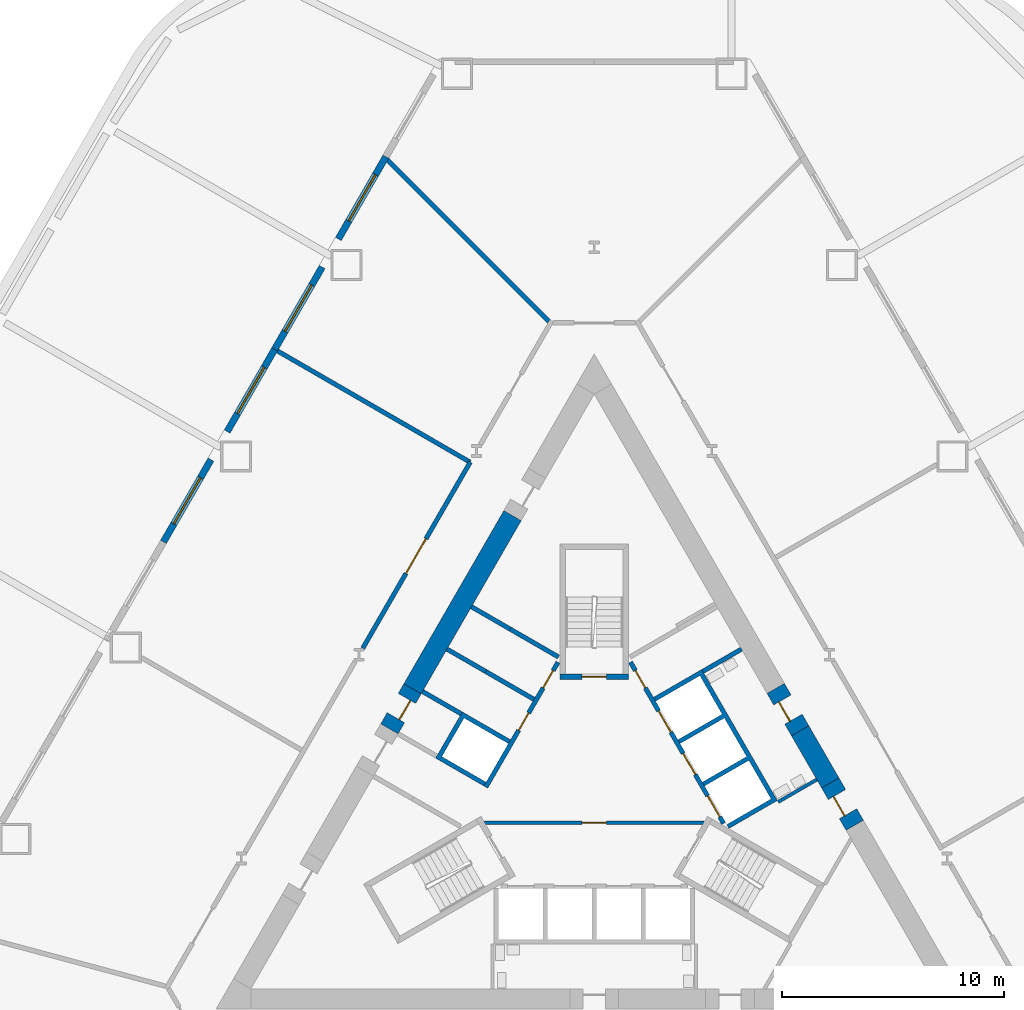
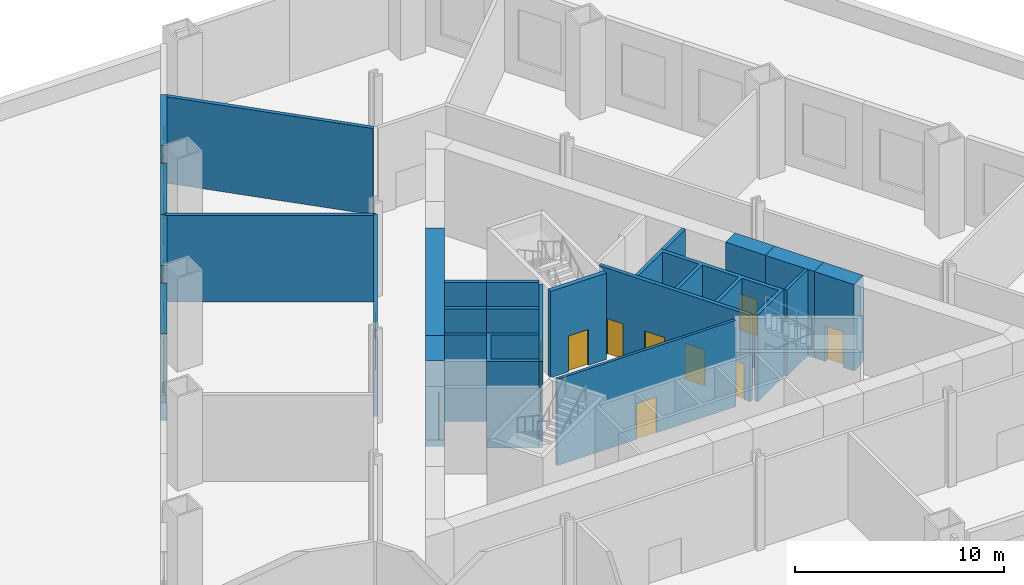
# One storey, part 5 of 10: 25 walls, 12 doors, 4 windows, 16 openings.
"""IFC4 building model written with IfcOpenShell, lengths in metres."""

from ifc_helpers import new_model, si_unit, direction, frame, frame_2d, origin, place, context, subcontext, project, spatial, polyline, rectangle, outline, extrude, material, layer, layer_set, type_object, element, fill, save


model = new_model("IFC4")

# Units and contexts
model_context = context("Model", 3, precision=1e-05, world=origin(), true_north=direction((0.0, 1.0)))
body_context = subcontext(model_context, "Body", "Model", "MODEL_VIEW")
ifc_project = project(units=[si_unit("LENGTHUNIT", "METRE"), si_unit("AREAUNIT", "SQUARE_METRE"), si_unit("VOLUMEUNIT", "CUBIC_METRE"), si_unit("PLANEANGLEUNIT", "RADIAN"), si_unit("MASSUNIT", "GRAM", prefix="KILO")], contexts=[model_context])

# Site, building, storey
site_placement = place(None, origin())
site = spatial("IfcSite", under=ifc_project, at=site_placement, CompositionType="ELEMENT")
building_placement = place(site_placement, origin())
building = spatial("IfcBuilding", under=site, at=building_placement, Name="Cormorant Prow Tower", CompositionType="ELEMENT")
storey_placement = place(building_placement, frame((0.0, 0.0, 10.0)))
storey = spatial("IfcBuildingStorey", under=building, at=storey_placement, Name="L01", CompositionType="ELEMENT", Elevation=10.0)

# Wall, opening, door
ifc_material_1 = material(Name="Gypsum board partition")
ifc_layer_1 = layer(ifc_material_1, 0.14990234375)
ifc_layer_set_1 = layer_set([ifc_layer_1], Name="Gypsum board partition")
wall_type_1 = type_object("IfcWallType", Name="Core partition 150", PredefinedType="PARTITIONING", material=ifc_layer_set_1)
wall_1_placement = place(storey_placement, frame((-4.941162109375, -1.449951171875, 0.0), z_axis=(0.0, 0.0, 1.0), x_axis=(1.0, 0.0, 0.0)))
wall_1 = element("IfcWall", 1, at=wall_1_placement, inside=storey, type_object=wall_type_1, Name="Firefighting lobby partition", PredefinedType="PARTITIONING", context=body_context, shape_type="SweptSolid", body=[
    extrude(rectangle(XDim=9.88232421875, YDim=0.14990234375, at=frame_2d((4.941162109375, 0.0))), origin(), (0.0, 0.0, 1.0), 5.050048828125),
])
opening_1_placement = place(wall_1_placement, frame((4.39111328125, 0.0, 0.0)))
opening_1 = element("IfcOpeningElement", 2, at=opening_1_placement, cuts=wall_1, Name="Opening L01-C11", PredefinedType="OPENING", context=body_context, shape_type="SweptSolid", body=[
    extrude(rectangle(XDim=1.10009765625, YDim=2.10009765625, at=frame_2d((0.550048828125, 1.050048828125))), frame((0.0, 0.0849609375, 0.0), z_axis=(0.0, -1.0, 0.0), x_axis=(1.0, 0.0, 0.0)), (0.0, 0.0, 1.0), 0.169921875),
])
ifc_material_2 = material(Name="Painted steel", Category="steel")
door_type_1 = type_object("IfcDoorType", Name="Firefighting lobby door 1100x2100", OperationType="NOTDEFINED", PredefinedType="DOOR", material=ifc_material_2)
door_1_placement = place(opening_1_placement, origin())
door_1 = element("IfcDoor", 3, at=door_1_placement, inside=storey, type_object=door_type_1, Name="Firefighting lobby door", OperationType="SINGLE_SWING_RIGHT", OverallHeight=2.10009765625, OverallWidth=1.10009765625, PredefinedType="DOOR", context=body_context, shape_type="SweptSolid", body=[
    extrude(rectangle(XDim=1.10009765625, YDim=2.10009765625, at=frame_2d((0.550048828125, 1.050048828125))), frame((0.0, 0.02490234375, 0.0), z_axis=(0.0, -1.0, 0.0), x_axis=(1.0, 0.0, 0.0)), (0.0, 0.0, 1.0), 0.050048828125),
])
fill(opening_1, door_1)

# Walls
wall_2_placement = place(storey_placement, frame((8.268310546875, -0.509033203125, 0.0), z_axis=(0.0, 0.0, 1.0), x_axis=(0.866035824272, 0.499981950752, 0.0)))
element("IfcWall", 4, at=wall_2_placement, inside=storey, type_object=wall_type_1, Name="Service room partition", PredefinedType="PARTITIONING", context=body_context, shape_type="SweptSolid", body=[
    extrude(rectangle(XDim=2.0087890625, YDim=0.14990234375, at=frame_2d((1.00439453125, 0.0))), origin(), (0.0, 0.0, 1.0), 5.050048828125),
])
ifc_material_3 = material(Name="Concrete 8000 psi", Category="concrete")
ifc_layer_2 = layer(ifc_material_3, 0.89990234375)
ifc_layer_set_2 = layer_set([ifc_layer_2], Name="Concrete 8000 psi")
wall_type_2 = type_object("IfcWallType", Name="Core shear wall 900", PredefinedType="SHEAR", material=ifc_layer_set_2)
wall_3_placement = place(storey_placement, frame((10.614990234375, 0.344482421875, 0.0), z_axis=(0.0, 0.0, 1.0), x_axis=(-0.500044870432, 0.865999496279, 0.0)))
element("IfcWall", 5, at=wall_3_placement, inside=storey, type_object=wall_type_2, Name="Core wall", PredefinedType="SHEAR", context=body_context, shape_type="SweptSolid", body=[
    extrude(rectangle(XDim=2.709228515625, YDim=0.89990234375, at=frame_2d((1.3544921875, 0.0))), origin(), (0.0, 0.0, 1.0), 5.050048828125),
])
wall_4_placement = place(storey_placement, frame((-3.675048828125, 12.364501953125, 0.0), z_axis=(0.0, 0.0, 1.0), x_axis=(-0.500014716158, -0.86601690724, 0.0)))
element("IfcWall", 6, at=wall_4_placement, inside=storey, type_object=wall_type_2, Name="Core wall", PredefinedType="SHEAR", context=body_context, shape_type="SweptSolid", body=[
    extrude(rectangle(XDim=8.990478515625, YDim=0.89990234375, at=frame_2d((4.4951171875, 0.0))), origin(), (0.0, 0.0, 1.0), 5.050048828125),
])

# Wall, opening, door
wall_5_placement = place(storey_placement, frame((9.26025390625, 2.690673828125, 0.0), z_axis=(0.0, 0.0, 1.0), x_axis=(-0.499946605688, 0.86605622881, 0.0)))
wall_5 = element("IfcWall", 7, at=wall_5_placement, inside=storey, type_object=wall_type_2, Name="Core wall door panel", PredefinedType="SHEAR", context=body_context, shape_type="SweptSolid", body=[
    extrude(rectangle(XDim=2.199951171875, YDim=0.89990234375, at=frame_2d((1.10009765625, 0.0))), origin(), (0.0, 0.0, 1.0), 5.050048828125),
])
opening_2_placement = place(wall_5_placement, frame((0.60009765625, 0.0, 0.0)))
opening_2 = element("IfcOpeningElement", 8, at=opening_2_placement, cuts=wall_5, Name="Opening L01-C18", PredefinedType="OPENING", context=body_context, shape_type="SweptSolid", body=[
    extrude(rectangle(XDim=1.0, YDim=2.10009765625, at=frame_2d((0.5, 1.050048828125))), frame((0.0, 0.4599609375, 0.0), z_axis=(0.0, -1.0, 0.0), x_axis=(1.0, 0.0, 0.0)), (0.0, 0.0, 1.0), 0.919921875),
])
ifc_material_4 = material(Name="Painted steel", Category="steel")
door_type_2 = type_object("IfcDoorType", Name="Service door 1000x2100", OperationType="NOTDEFINED", PredefinedType="DOOR", material=ifc_material_4)
door_2_placement = place(opening_2_placement, origin())
door_2 = element("IfcDoor", 9, at=door_2_placement, inside=storey, type_object=door_type_2, Name="Core door, Toilets (men) L01", OperationType="SINGLE_SWING_RIGHT", OverallHeight=2.10009765625, OverallWidth=1.0, PredefinedType="DOOR", context=body_context, shape_type="SweptSolid", body=[
    extrude(rectangle(XDim=1.0, YDim=2.10009765625, at=frame_2d((0.5, 1.050048828125))), frame((0.0, 0.205078125, 0.0), z_axis=(0.0, -1.0, 0.0), x_axis=(1.0, 0.0, 0.0)), (0.0, 0.0, 1.0), 0.050048828125),
])
fill(opening_2, door_2)

wall_6_placement = place(storey_placement, frame((-8.17041015625, 4.57861328125, 0.0), z_axis=(0.0, 0.0, 1.0), x_axis=(-0.499888406853, -0.866089822532, 0.0)))
wall_6 = element("IfcWall", 10, at=wall_6_placement, inside=storey, type_object=wall_type_2, Name="Core wall door panel", PredefinedType="SHEAR", context=body_context, shape_type="SweptSolid", body=[
    extrude(rectangle(XDim=2.080078125, YDim=0.89990234375, at=frame_2d((1.0400390625, 0.0))), origin(), (0.0, 0.0, 1.0), 5.050048828125),
])
opening_3_placement = place(wall_6_placement, frame((0.5, 0.0, 0.0)))
opening_3 = element("IfcOpeningElement", 11, at=opening_3_placement, cuts=wall_6, Name="Opening L01-C19", PredefinedType="OPENING", context=body_context, shape_type="SweptSolid", body=[
    extrude(rectangle(XDim=1.0, YDim=2.10009765625, at=frame_2d((0.5, 1.050048828125))), frame((0.0, 0.4599609375, 0.0), z_axis=(0.0, -1.0, 0.0), x_axis=(1.0, 0.0, 0.0)), (0.0, 0.0, 1.0), 0.919921875),
])
door_3_placement = place(opening_3_placement, origin())
door_3 = element("IfcDoor", 12, at=door_3_placement, inside=storey, type_object=door_type_2, Name="Core door, Electrical room", OperationType="SINGLE_SWING_RIGHT", OverallHeight=2.10009765625, OverallWidth=1.0, PredefinedType="DOOR", context=body_context, shape_type="SweptSolid", body=[
    extrude(rectangle(XDim=1.0, YDim=2.10009765625, at=frame_2d((0.5, 1.050048828125))), frame((0.0, 0.205078125, 0.0), z_axis=(0.0, -1.0, 0.0), x_axis=(1.0, 0.0, 0.0)), (0.0, 0.0, 1.0), 0.050048828125),
])
fill(opening_3, door_3)

wall_7_placement = place(storey_placement, frame((11.71484375, -1.560791015625, 0.0), z_axis=(0.0, 0.0, 1.0), x_axis=(-0.499946605688, 0.86605622881, 0.0)))
wall_7 = element("IfcWall", 13, at=wall_7_placement, inside=storey, type_object=wall_type_2, Name="Core wall door panel", PredefinedType="SHEAR", context=body_context, shape_type="SweptSolid", body=[
    extrude(rectangle(XDim=2.199951171875, YDim=0.89990234375, at=frame_2d((1.10009765625, 0.0))), origin(), (0.0, 0.0, 1.0), 5.050048828125),
])
opening_4_placement = place(wall_7_placement, frame((0.60009765625, 0.0, 0.0)))
opening_4 = element("IfcOpeningElement", 14, at=opening_4_placement, cuts=wall_7, Name="Opening L01-C21", PredefinedType="OPENING", context=body_context, shape_type="SweptSolid", body=[
    extrude(rectangle(XDim=1.0, YDim=2.10009765625, at=frame_2d((0.5, 1.050048828125))), frame((0.0, 0.4599609375, 0.0), z_axis=(0.0, -1.0, 0.0), x_axis=(1.0, 0.0, 0.0)), (0.0, 0.0, 1.0), 0.919921875),
])
door_4_placement = place(opening_4_placement, origin())
door_4 = element("IfcDoor", 15, at=door_4_placement, inside=storey, type_object=door_type_2, Name="Core door, Mechanical riser room", OperationType="SINGLE_SWING_LEFT", OverallHeight=2.10009765625, OverallWidth=1.0, PredefinedType="DOOR", context=body_context, shape_type="SweptSolid", body=[
    extrude(rectangle(XDim=1.0, YDim=2.10009765625, at=frame_2d((0.5, 1.050048828125))), frame((0.0, 0.205078125, 0.0), z_axis=(0.0, -1.0, 0.0), x_axis=(1.0, 0.0, 0.0)), (0.0, 0.0, 1.0), 0.050048828125),
])
fill(opening_4, door_4)

ifc_material_5 = material(Name="Gypsum board corridor wall")
ifc_layer_3 = layer(ifc_material_5, 0.199951171875)
ifc_layer_set_3 = layer_set([ifc_layer_3], Name="Gypsum board corridor wall")
wall_type_3 = type_object("IfcWallType", Name="Corridor wall 200", PredefinedType="PARTITIONING", material=ifc_layer_set_3)
wall_8_placement = place(storey_placement, frame((-10.408203125, 6.402099609375, 0.0), z_axis=(0.0, 0.0, 1.0), x_axis=(0.499986904098, 0.866032964575, 0.0)))
wall_8 = element("IfcWall", 16, at=wall_8_placement, inside=storey, type_object=wall_type_3, Name="Corridor wall", PredefinedType="PARTITIONING", context=body_context, shape_type="SweptSolid", body=[
    extrude(rectangle(XDim=9.669677734375, YDim=0.199951171875, at=frame_2d((4.8349609375, 0.0))), origin(), (0.0, 0.0, 1.0), 5.050048828125),
])
opening_5_placement = place(wall_8_placement, frame((3.88427734375, 0.0, 0.0)))
opening_5 = element("IfcOpeningElement", 17, at=opening_5_placement, cuts=wall_8, Name="Opening L01-F07", PredefinedType="OPENING", context=body_context, shape_type="SweptSolid", body=[
    extrude(rectangle(XDim=1.800048828125, YDim=2.10009765625, at=frame_2d((0.89990234375, 1.050048828125))), frame((0.0, 0.10986328125, 0.0), z_axis=(0.0, -1.0, 0.0), x_axis=(1.0, 0.0, 0.0)), (0.0, 0.0, 1.0), 0.219970703125),
])
ifc_material_6 = material(Name="Timber door leaf", Category="wood")
door_type_3 = type_object("IfcDoorType", Name="Double door 1800x2100", OperationType="DOUBLE_DOOR_SINGLE_SWING", PredefinedType="DOOR", material=ifc_material_6)
door_5_placement = place(opening_5_placement, origin())
door_5 = element("IfcDoor", 18, at=door_5_placement, inside=storey, type_object=door_type_3, Name="Serviced office door", OperationType="DOUBLE_DOOR_SINGLE_SWING", OverallHeight=2.10009765625, OverallWidth=1.800048828125, PredefinedType="DOOR", context=body_context, shape_type="SweptSolid", body=[
    extrude(rectangle(XDim=1.800048828125, YDim=2.10009765625, at=frame_2d((0.89990234375, 1.050048828125))), frame((0.0, 0.02490234375, 0.0), z_axis=(0.0, -1.0, 0.0), x_axis=(1.0, 0.0, 0.0)), (0.0, 0.0, 1.0), 0.050048828125),
])
fill(opening_5, door_5)

# Walls
ifc_material_7 = material(Name="Gypsum board demising wall")
ifc_layer_4 = layer(ifc_material_7, 0.199951171875)
ifc_layer_set_4 = layer_set([ifc_layer_4], Name="Gypsum board demising wall")
wall_type_4 = type_object("IfcWallType", Name="Demising wall 200", PredefinedType="PARTITIONING", material=ifc_layer_set_4)
wall_9_placement = place(storey_placement, frame((-9.329833984375, 28.390625, 0.0), z_axis=(0.0, 0.0, 1.0), x_axis=(0.707402604593, -0.706810833968, 0.0)))
element("IfcWall", 19, at=wall_9_placement, inside=storey, type_object=wall_type_4, Name="Demising wall", PredefinedType="PARTITIONING", context=body_context, shape_type="SweptSolid", body=[
    extrude(rectangle(XDim=10.31396484375, YDim=0.199951171875, at=frame_2d((5.156982421875, 0.0))), origin(), (0.0, 0.0, 1.0), 5.050048828125),
])
wall_10_placement = place(storey_placement, frame((-14.3095703125, 19.80859375, 0.0), z_axis=(0.0, 0.0, 1.0), x_axis=(0.866017018378, -0.500014523669, 0.0)))
element("IfcWall", 20, at=wall_10_placement, inside=storey, type_object=wall_type_4, Name="Demising wall", PredefinedType="PARTITIONING", context=body_context, shape_type="SweptSolid", body=[
    extrude(rectangle(XDim=10.081787109375, YDim=0.199951171875, at=frame_2d((5.041015625, 0.0))), origin(), (0.0, 0.0, 1.0), 5.050048828125),
])

# Wall, openings, doors
ifc_material_8 = material(Name="Concrete 5000 psi", Category="concrete")
ifc_layer_5 = layer(ifc_material_8, 0.199951171875)
ifc_layer_set_5 = layer_set([ifc_layer_5], Name="Concrete 5000 psi")
wall_type_5 = type_object("IfcWallType", Name="Lift lobby wall 200", PredefinedType="SOLIDWALL", material=ifc_layer_set_5)
wall_11_placement = place(storey_placement, frame((5.817138671875, -1.4755859375, 0.0), z_axis=(0.0, 0.0, 1.0), x_axis=(-0.500002616675, 0.866023893041, 0.0)))
wall_11 = element("IfcWall", 21, at=wall_11_placement, inside=storey, type_object=wall_type_5, Name="Lift lobby wall, ENE block", PredefinedType="SOLIDWALL", context=body_context, shape_type="SweptSolid", body=[
    extrude(rectangle(XDim=8.373046875, YDim=0.199951171875, at=frame_2d((4.1865234375, 0.0))), origin(), (0.0, 0.0, 1.0), 5.050048828125),
])
opening_6_placement = place(wall_11_placement, frame((0.336669921875, 0.0, 0.0)))
opening_6 = element("IfcOpeningElement", 22, at=opening_6_placement, cuts=wall_11, Name="Opening L01-C05", PredefinedType="OPENING", context=body_context, shape_type="SweptSolid", body=[
    extrude(rectangle(XDim=1.10009765625, YDim=2.10009765625, at=frame_2d((0.550048828125, 1.050048828125))), frame((0.0, 0.10986328125, 0.0), z_axis=(0.0, -1.0, 0.0), x_axis=(1.0, 0.0, 0.0)), (0.0, 0.0, 1.0), 0.219970703125),
])
opening_7_placement = place(wall_11_placement, frame((2.53662109375, 0.0, 0.0)))
opening_7 = element("IfcOpeningElement", 23, at=opening_7_placement, cuts=wall_11, Name="Opening L01-C06", PredefinedType="OPENING", context=body_context, shape_type="SweptSolid", body=[
    extrude(rectangle(XDim=1.10009765625, YDim=2.10009765625, at=frame_2d((0.550048828125, 1.050048828125))), frame((0.0, 0.10986328125, 0.0), z_axis=(0.0, -1.0, 0.0), x_axis=(1.0, 0.0, 0.0)), (0.0, 0.0, 1.0), 0.219970703125),
])
opening_8_placement = place(wall_11_placement, frame((4.736572265625, 0.0, 0.0)))
opening_8 = element("IfcOpeningElement", 24, at=opening_8_placement, cuts=wall_11, Name="Opening L01-C07", PredefinedType="OPENING", context=body_context, shape_type="SweptSolid", body=[
    extrude(rectangle(XDim=1.10009765625, YDim=2.10009765625, at=frame_2d((0.550048828125, 1.050048828125))), frame((0.0, 0.10986328125, 0.0), z_axis=(0.0, -1.0, 0.0), x_axis=(1.0, 0.0, 0.0)), (0.0, 0.0, 1.0), 0.219970703125),
])
opening_9_placement = place(wall_11_placement, frame((7.03662109375, 0.0, 0.0)))
opening_9 = element("IfcOpeningElement", 25, at=opening_9_placement, cuts=wall_11, Name="Opening L01-C08", PredefinedType="OPENING", context=body_context, shape_type="SweptSolid", body=[
    extrude(rectangle(XDim=0.89990234375, YDim=2.10009765625, at=frame_2d((0.449951171875, 1.050048828125))), frame((0.0, 0.10986328125, 0.0), z_axis=(0.0, -1.0, 0.0), x_axis=(1.0, 0.0, 0.0)), (0.0, 0.0, 1.0), 0.219970703125),
])
ifc_material_9 = material(Name="Painted steel", Category="steel")
door_type_4 = type_object("IfcDoorType", Name="Lift landing door 1100x2100", OperationType="SLIDING_TO_LEFT", PredefinedType="DOOR", material=ifc_material_9)
door_6_placement = place(opening_6_placement, origin())
door_6 = element("IfcDoor", 26, at=door_6_placement, inside=storey, type_object=door_type_4, Name="Landing door LR2", OperationType="SLIDING_TO_LEFT", OverallHeight=2.10009765625, OverallWidth=1.10009765625, PredefinedType="DOOR", context=body_context, shape_type="SweptSolid", body=[
    extrude(rectangle(XDim=1.10009765625, YDim=2.10009765625, at=frame_2d((0.550048828125, 1.050048828125))), frame((0.0, 0.02490234375, 0.0), z_axis=(0.0, -1.0, 0.0), x_axis=(1.0, 0.0, 0.0)), (0.0, 0.0, 1.0), 0.050048828125),
])
fill(opening_6, door_6)
door_7_placement = place(opening_7_placement, origin())
door_7 = element("IfcDoor", 27, at=door_7_placement, inside=storey, type_object=door_type_4, Name="Landing door LR3", OperationType="SLIDING_TO_LEFT", OverallHeight=2.10009765625, OverallWidth=1.10009765625, PredefinedType="DOOR", context=body_context, shape_type="SweptSolid", body=[
    extrude(rectangle(XDim=1.10009765625, YDim=2.10009765625, at=frame_2d((0.550048828125, 1.050048828125))), frame((0.0, 0.02490234375, 0.0), z_axis=(0.0, -1.0, 0.0), x_axis=(1.0, 0.0, 0.0)), (0.0, 0.0, 1.0), 0.050048828125),
])
fill(opening_7, door_7)
door_8_placement = place(opening_8_placement, origin())
door_8 = element("IfcDoor", 28, at=door_8_placement, inside=storey, type_object=door_type_4, Name="Landing door LR4", OperationType="SLIDING_TO_LEFT", OverallHeight=2.10009765625, OverallWidth=1.10009765625, PredefinedType="DOOR", context=body_context, shape_type="SweptSolid", body=[
    extrude(rectangle(XDim=1.10009765625, YDim=2.10009765625, at=frame_2d((0.550048828125, 1.050048828125))), frame((0.0, 0.02490234375, 0.0), z_axis=(0.0, -1.0, 0.0), x_axis=(1.0, 0.0, 0.0)), (0.0, 0.0, 1.0), 0.050048828125),
])
fill(opening_8, door_8)
ifc_material_10 = material(Name="Painted steel", Category="steel")
door_type_5 = type_object("IfcDoorType", Name="Service door 900x2100", OperationType="NOTDEFINED", PredefinedType="DOOR", material=ifc_material_10)
door_9_placement = place(opening_9_placement, origin())
door_9 = element("IfcDoor", 29, at=door_9_placement, inside=storey, type_object=door_type_5, Name="Service door, Electrical room", OperationType="SINGLE_SWING_RIGHT", OverallHeight=2.10009765625, OverallWidth=0.89990234375, PredefinedType="DOOR", context=body_context, shape_type="SweptSolid", body=[
    extrude(rectangle(XDim=0.89990234375, YDim=2.10009765625, at=frame_2d((0.449951171875, 1.050048828125))), frame((0.0, 0.02490234375, 0.0), z_axis=(0.0, -1.0, 0.0), x_axis=(1.0, 0.0, 0.0)), (0.0, 0.0, 1.0), 0.050048828125),
])
fill(opening_9, door_9)

wall_12_placement = place(storey_placement, frame((-1.630615234375, 5.775634765625, 0.0), z_axis=(0.0, 0.0, 1.0), x_axis=(-0.499992876559, -0.866029516466, 0.0)))
wall_12 = element("IfcWall", 30, at=wall_12_placement, inside=storey, type_object=wall_type_5, Name="Lift lobby wall, WNW block", PredefinedType="SOLIDWALL", context=body_context, shape_type="SweptSolid", body=[
    extrude(rectangle(XDim=6.486328125, YDim=0.199951171875, at=frame_2d((3.2431640625, 0.0))), origin(), (0.0, 0.0, 1.0), 5.050048828125),
])
opening_10_placement = place(wall_12_placement, frame((0.4365234375, 0.0, 0.0)))
opening_10 = element("IfcOpeningElement", 31, at=opening_10_placement, cuts=wall_12, Name="Opening L01-C09", PredefinedType="OPENING", context=body_context, shape_type="SweptSolid", body=[
    extrude(rectangle(XDim=0.89990234375, YDim=2.10009765625, at=frame_2d((0.449951171875, 1.050048828125))), frame((0.0, 0.10986328125, 0.0), z_axis=(0.0, -1.0, 0.0), x_axis=(1.0, 0.0, 0.0)), (0.0, 0.0, 1.0), 0.219970703125),
])
opening_11_placement = place(wall_12_placement, frame((2.63671875, 0.0, 0.0)))
opening_11 = element("IfcOpeningElement", 32, at=opening_11_placement, cuts=wall_12, Name="Opening L01-C10", PredefinedType="OPENING", context=body_context, shape_type="SweptSolid", body=[
    extrude(rectangle(XDim=0.89990234375, YDim=2.10009765625, at=frame_2d((0.449951171875, 1.050048828125))), frame((0.0, 0.10986328125, 0.0), z_axis=(0.0, -1.0, 0.0), x_axis=(1.0, 0.0, 0.0)), (0.0, 0.0, 1.0), 0.219970703125),
])
door_10_placement = place(opening_10_placement, origin())
door_10 = element("IfcDoor", 33, at=door_10_placement, inside=storey, type_object=door_type_5, Name="Service door, Electrical room", OperationType="SINGLE_SWING_LEFT", OverallHeight=2.10009765625, OverallWidth=0.89990234375, PredefinedType="DOOR", context=body_context, shape_type="SweptSolid", body=[
    extrude(rectangle(XDim=0.89990234375, YDim=2.10009765625, at=frame_2d((0.449951171875, 1.050048828125))), frame((0.0, 0.02490234375, 0.0), z_axis=(0.0, -1.0, 0.0), x_axis=(1.0, 0.0, 0.0)), (0.0, 0.0, 1.0), 0.050048828125),
])
fill(opening_10, door_10)
door_11_placement = place(opening_11_placement, origin())
door_11 = element("IfcDoor", 34, at=door_11_placement, inside=storey, type_object=door_type_5, Name="Service door, Linen store", OperationType="SINGLE_SWING_RIGHT", OverallHeight=2.10009765625, OverallWidth=0.89990234375, PredefinedType="DOOR", context=body_context, shape_type="SweptSolid", body=[
    extrude(rectangle(XDim=0.89990234375, YDim=2.10009765625, at=frame_2d((0.449951171875, 1.050048828125))), frame((0.0, 0.02490234375, 0.0), z_axis=(0.0, -1.0, 0.0), x_axis=(1.0, 0.0, 0.0)), (0.0, 0.0, 1.0), 0.050048828125),
])
fill(opening_11, door_11)

# Walls
ifc_material_11 = material(Name="Concrete 8000 psi", Category="concrete")
ifc_layer_6 = layer(ifc_material_11, 0.199951171875)
ifc_layer_set_6 = layer_set([ifc_layer_6], Name="Concrete 8000 psi")
wall_type_6 = type_object("IfcWallType", Name="Lift shaft wall 200", PredefinedType="SHEAR", material=ifc_layer_set_6)
wall_13_placement = place(storey_placement, origin())
element("IfcWall", 35, at=wall_13_placement, inside=storey, type_object=wall_type_6, Name="Lift shaft walls, ENE block", PredefinedType="SHEAR", context=body_context, shape_type="SweptSolid", body=[
    extrude(outline(polyline([(2.660400390625, 4.19189453125), (4.830810546875, 5.44482421875), (8.230712890625, -0.444091796875), (6.060546875, -1.697021484375), (5.96044921875, -1.52392578125), (7.952392578125, -0.373779296875), (6.952392578125, 1.358154296875), (4.96044921875, 0.2080078125), (4.860595703125, 0.38134765625), (6.852294921875, 1.53125), (5.852294921875, 3.263427734375), (3.860595703125, 2.11328125), (3.760498046875, 2.28662109375), (5.75244140625, 3.4365234375), (4.75244140625, 5.168701171875), (2.760498046875, 4.018798828125), (2.660400390625, 4.19189453125)])), origin(), (0.0, 0.0, 1.0), 5.050048828125),
])
wall_14_placement = place(storey_placement, frame((4.880859375, 5.3583984375, 0.0), z_axis=(0.0, 0.0, 1.0), x_axis=(0.866035824272, 0.499981950752, 0.0)))
element("IfcWall", 36, at=wall_14_placement, inside=storey, type_object=wall_type_6, Name="Store side wall", PredefinedType="SHEAR", context=body_context, shape_type="SweptSolid", body=[
    extrude(rectangle(XDim=2.0087890625, YDim=0.199951171875, at=frame_2d((1.00439453125, 0.0))), origin(), (0.0, 0.0, 1.0), 5.050048828125),
])
wall_15_placement = place(storey_placement, origin())
element("IfcWall", 37, at=wall_15_placement, inside=storey, type_object=wall_type_6, Name="Lift shaft walls, WNW block", PredefinedType="SHEAR", context=body_context, shape_type="SweptSolid", body=[
    extrude(outline(polyline([(-4.96044921875, 0.2080078125), (-7.130859375, 1.461181640625), (-5.930908203125, 3.53955078125), (-3.760498046875, 2.28662109375), (-3.860595703125, 2.11328125), (-5.852294921875, 3.263427734375), (-6.852294921875, 1.53125), (-4.860595703125, 0.38134765625), (-4.96044921875, 0.2080078125)])), origin(), (0.0, 0.0, 1.0), 5.050048828125),
])
wall_16_placement = place(storey_placement, origin())
element("IfcWall", 38, at=wall_16_placement, inside=storey, type_object=wall_type_6, Name="Lift shaft walls, WNW block", PredefinedType="SHEAR", context=body_context, shape_type="SweptSolid", body=[
    extrude(outline(polyline([(-2.760498046875, 4.018798828125), (-4.930908203125, 5.271728515625), (-4.830810546875, 5.44482421875), (-2.660400390625, 4.19189453125), (-2.760498046875, 4.018798828125)])), origin(), (0.0, 0.0, 1.0), 5.050048828125),
])
wall_17_placement = place(storey_placement, origin())
element("IfcWall", 39, at=wall_17_placement, inside=storey, type_object=wall_type_6, Name="Lift shaft walls, WNW block", PredefinedType="SHEAR", context=body_context, shape_type="SweptSolid", body=[
    extrude(outline(polyline([(-3.730712890625, 7.35009765625), (-1.560546875, 6.09716796875), (-1.660400390625, 5.923828125), (-3.830810546875, 7.177001953125), (-3.730712890625, 7.35009765625)])), origin(), (0.0, 0.0, 1.0), 5.050048828125),
])
wall_18_placement = place(storey_placement, frame((-3.78076171875, 7.263427734375, 0.0), z_axis=(0.0, 0.0, 1.0), x_axis=(-0.865983199114, 0.50007309351, 0.0)))
element("IfcWall", 40, at=wall_18_placement, inside=storey, type_object=wall_type_6, Name="Store side wall", PredefinedType="SHEAR", context=body_context, shape_type="SweptSolid", body=[
    extrude(rectangle(XDim=2.009033203125, YDim=0.199951171875, at=frame_2d((1.00439453125, 0.0))), origin(), (0.0, 0.0, 1.0), 5.050048828125),
])
wall_19_placement = place(storey_placement, frame((-4.880859375, 5.3583984375, 0.0), z_axis=(0.0, 0.0, 1.0), x_axis=(-0.866035824272, 0.499981950752, 0.0)))
element("IfcWall", 41, at=wall_19_placement, inside=storey, type_object=wall_type_6, Name="Store side wall", PredefinedType="SHEAR", context=body_context, shape_type="SweptSolid", body=[
    extrude(rectangle(XDim=2.0087890625, YDim=0.199951171875, at=frame_2d((1.00439453125, 0.0))), origin(), (0.0, 0.0, 1.0), 5.050048828125),
])
wall_20_placement = place(storey_placement, frame((-5.980712890625, 3.452880859375, 0.0), z_axis=(0.0, 0.0, 1.0), x_axis=(-0.866013584312, 0.500020471368, 0.0)))
element("IfcWall", 42, at=wall_20_placement, inside=storey, type_object=wall_type_6, Name="Store side wall", PredefinedType="SHEAR", context=body_context, shape_type="SweptSolid", body=[
    extrude(rectangle(XDim=2.00927734375, YDim=0.199951171875, at=frame_2d((1.004638671875, 0.0))), origin(), (0.0, 0.0, 1.0), 5.050048828125),
])

# Wall, opening, door
ifc_material_12 = material(Name="Concrete 8000 psi", Category="concrete")
ifc_layer_7 = layer(ifc_material_12, 0.25)
ifc_layer_set_7 = layer_set([ifc_layer_7], Name="Concrete 8000 psi")
wall_type_7 = type_object("IfcWallType", Name="Stair wall 250", PredefinedType="SHEAR", material=ifc_layer_set_7)
wall_21_placement = place(storey_placement, frame((1.5439453125, 5.11181640625, 0.0), z_axis=(0.0, 0.0, 1.0), x_axis=(-1.0, 0.0, 0.0)))
wall_21 = element("IfcWall", 43, at=wall_21_placement, inside=storey, type_object=wall_type_7, Name="Stair ST3 door wall", PredefinedType="SHEAR", context=body_context, shape_type="SweptSolid", body=[
    extrude(rectangle(XDim=3.087890625, YDim=0.25, at=frame_2d((1.5439453125, 0.0))), origin(), (0.0, 0.0, 1.0), 5.050048828125),
])
opening_12_placement = place(wall_21_placement, frame((0.993896484375, 0.0, 0.0)))
opening_12 = element("IfcOpeningElement", 44, at=opening_12_placement, cuts=wall_21, Name="Opening L01-C14", PredefinedType="OPENING", context=body_context, shape_type="SweptSolid", body=[
    extrude(rectangle(XDim=1.10009765625, YDim=2.10009765625, at=frame_2d((0.550048828125, 1.050048828125))), frame((0.0, 0.135009765625, 0.0), z_axis=(0.0, -1.0, 0.0), x_axis=(1.0, 0.0, 0.0)), (0.0, 0.0, 1.0), 0.27001953125),
])
ifc_material_13 = material(Name="Painted steel", Category="steel")
door_type_6 = type_object("IfcDoorType", Name="Stair door 1100x2100", OperationType="NOTDEFINED", PredefinedType="DOOR", material=ifc_material_13)
door_12_placement = place(opening_12_placement, origin())
door_12 = element("IfcDoor", 45, at=door_12_placement, inside=storey, type_object=door_type_6, Name="Stair ST3 door", OperationType="SINGLE_SWING_LEFT", OverallHeight=2.10009765625, OverallWidth=1.10009765625, PredefinedType="DOOR", context=body_context, shape_type="SweptSolid", body=[
    extrude(rectangle(XDim=1.10009765625, YDim=2.10009765625, at=frame_2d((0.550048828125, 1.050048828125))), frame((0.0, 0.02490234375, 0.0), z_axis=(0.0, -1.0, 0.0), x_axis=(1.0, 0.0, 0.0)), (0.0, 0.0, 1.0), 0.050048828125),
])
fill(opening_12, door_12)

# Wall, opening, window
ifc_material_14 = material(Name="Terracotta", Category="masonry")
ifc_layer_8 = layer(ifc_material_14, 0.300048828125)
ifc_layer_set_8 = layer_set([ifc_layer_8], Name="Terracotta")
wall_type_8 = type_object("IfcWallType", Name="Terracotta podium cladding wall 300", PredefinedType="SOLIDWALL", material=ifc_layer_set_8)
wall_22_placement = place(storey_placement, frame((-9.3701171875, 28.50390625, 0.0), z_axis=(0.0, 0.0, 1.0), x_axis=(-0.499994660107, -0.866028486751, 0.0)))
wall_22 = element("IfcWall", 46, at=wall_22_placement, inside=storey, type_object=wall_type_8, Name="Terracotta podium wall WNW01", PredefinedType="SOLIDWALL", context=body_context, shape_type="SweptSolid", body=[
    extrude(rectangle(XDim=4.27001953125, YDim=0.300048828125, at=frame_2d((2.135009765625, 0.0))), origin(), (0.0, 0.0, 1.0), 5.050048828125),
])
opening_13_placement = place(wall_22_placement, frame((0.93505859375, 0.0, 0.89990234375)))
opening_13 = element("IfcOpeningElement", 47, at=opening_13_placement, cuts=wall_22, Name="Opening WN21", PredefinedType="OPENING", context=body_context, shape_type="SweptSolid", body=[
    extrude(rectangle(XDim=2.39990234375, YDim=3.0, at=frame_2d((1.199951171875, 1.5))), frame((0.0, 0.159912109375, 0.0), z_axis=(0.0, -1.0, 0.0), x_axis=(1.0, 0.0, 0.0)), (0.0, 0.0, 1.0), 0.320068359375),
])
ifc_material_15 = material(Name="Aluminium 6063-T6", Category="aluminium")
window_type = type_object("IfcWindowType", Name="Podium window 2400x3000", PartitioningType="SINGLE_PANEL", PredefinedType="WINDOW", material=ifc_material_15)
window_1_placement = place(opening_13_placement, origin())
window_1 = element("IfcWindow", 48, at=window_1_placement, inside=storey, type_object=window_type, Name="Podium window WNW01", OverallHeight=3.0, OverallWidth=2.39990234375, PartitioningType="SINGLE_PANEL", PredefinedType="WINDOW", context=body_context, shape_type="SweptSolid", body=[
    extrude(rectangle(XDim=2.39990234375, YDim=3.0, at=frame_2d((1.199951171875, 1.5))), frame((0.0, 0.030029296875, 0.0), z_axis=(0.0, -1.0, 0.0), x_axis=(1.0, 0.0, 0.0)), (0.0, 0.0, 1.0), 0.06005859375),
])
fill(opening_13, window_1)

wall_23_placement = place(storey_placement, frame((-12.235107421875, 23.54150390625, 0.0), z_axis=(0.0, 0.0, 1.0), x_axis=(-0.499994660107, -0.866028486751, 0.0)))
wall_23 = element("IfcWall", 49, at=wall_23_placement, inside=storey, type_object=wall_type_8, Name="Terracotta podium wall WNW02", PredefinedType="SOLIDWALL", context=body_context, shape_type="SweptSolid", body=[
    extrude(rectangle(XDim=4.27001953125, YDim=0.300048828125, at=frame_2d((2.135009765625, 0.0))), origin(), (0.0, 0.0, 1.0), 5.050048828125),
])
opening_14_placement = place(wall_23_placement, frame((0.93505859375, 0.0, 0.89990234375)))
opening_14 = element("IfcOpeningElement", 50, at=opening_14_placement, cuts=wall_23, Name="Opening WN21", PredefinedType="OPENING", context=body_context, shape_type="SweptSolid", body=[
    extrude(rectangle(XDim=2.39990234375, YDim=3.0, at=frame_2d((1.199951171875, 1.5))), frame((0.0, 0.159912109375, 0.0), z_axis=(0.0, -1.0, 0.0), x_axis=(1.0, 0.0, 0.0)), (0.0, 0.0, 1.0), 0.320068359375),
])
window_2_placement = place(opening_14_placement, origin())
window_2 = element("IfcWindow", 51, at=window_2_placement, inside=storey, type_object=window_type, Name="Podium window WNW02", OverallHeight=3.0, OverallWidth=2.39990234375, PartitioningType="SINGLE_PANEL", PredefinedType="WINDOW", context=body_context, shape_type="SweptSolid", body=[
    extrude(rectangle(XDim=2.39990234375, YDim=3.0, at=frame_2d((1.199951171875, 1.5))), frame((0.0, 0.030029296875, 0.0), z_axis=(0.0, -1.0, 0.0), x_axis=(1.0, 0.0, 0.0)), (0.0, 0.0, 1.0), 0.06005859375),
])
fill(opening_14, window_2)

wall_24_placement = place(storey_placement, frame((-14.3701171875, 19.843505859375, 0.0), z_axis=(0.0, 0.0, 1.0), x_axis=(-0.500019418418, -0.866014192265, 0.0)))
wall_24 = element("IfcWall", 52, at=wall_24_placement, inside=storey, type_object=wall_type_8, Name="Terracotta podium wall WNW03", PredefinedType="SOLIDWALL", context=body_context, shape_type="SweptSolid", body=[
    extrude(rectangle(XDim=4.269775390625, YDim=0.300048828125, at=frame_2d((2.134765625, 0.0))), origin(), (0.0, 0.0, 1.0), 5.050048828125),
])
opening_15_placement = place(wall_24_placement, frame((0.93505859375, 0.0, 0.89990234375)))
opening_15 = element("IfcOpeningElement", 53, at=opening_15_placement, cuts=wall_24, Name="Opening WN21", PredefinedType="OPENING", context=body_context, shape_type="SweptSolid", body=[
    extrude(rectangle(XDim=2.39990234375, YDim=3.0, at=frame_2d((1.199951171875, 1.5))), frame((0.0, 0.159912109375, 0.0), z_axis=(0.0, -1.0, 0.0), x_axis=(1.0, 0.0, 0.0)), (0.0, 0.0, 1.0), 0.320068359375),
])
window_3_placement = place(opening_15_placement, origin())
window_3 = element("IfcWindow", 54, at=window_3_placement, inside=storey, type_object=window_type, Name="Podium window WNW03", OverallHeight=3.0, OverallWidth=2.39990234375, PartitioningType="SINGLE_PANEL", PredefinedType="WINDOW", context=body_context, shape_type="SweptSolid", body=[
    extrude(rectangle(XDim=2.39990234375, YDim=3.0, at=frame_2d((1.199951171875, 1.5))), frame((0.0, 0.030029296875, 0.0), z_axis=(0.0, -1.0, 0.0), x_axis=(1.0, 0.0, 0.0)), (0.0, 0.0, 1.0), 0.06005859375),
])
fill(opening_15, window_3)

wall_25_placement = place(storey_placement, frame((-17.235107421875, 14.88134765625, 0.0), z_axis=(0.0, 0.0, 1.0), x_axis=(-0.499994660107, -0.866028486751, 0.0)))
wall_25 = element("IfcWall", 55, at=wall_25_placement, inside=storey, type_object=wall_type_8, Name="Terracotta podium wall WNW04", PredefinedType="SOLIDWALL", context=body_context, shape_type="SweptSolid", body=[
    extrude(rectangle(XDim=4.27001953125, YDim=0.300048828125, at=frame_2d((2.135009765625, 0.0))), origin(), (0.0, 0.0, 1.0), 5.050048828125),
])
opening_16_placement = place(wall_25_placement, frame((0.93505859375, 0.0, 0.89990234375)))
opening_16 = element("IfcOpeningElement", 56, at=opening_16_placement, cuts=wall_25, Name="Opening WN21", PredefinedType="OPENING", context=body_context, shape_type="SweptSolid", body=[
    extrude(rectangle(XDim=2.39990234375, YDim=3.0, at=frame_2d((1.199951171875, 1.5))), frame((0.0, 0.159912109375, 0.0), z_axis=(0.0, -1.0, 0.0), x_axis=(1.0, 0.0, 0.0)), (0.0, 0.0, 1.0), 0.320068359375),
])
window_4_placement = place(opening_16_placement, origin())
window_4 = element("IfcWindow", 57, at=window_4_placement, inside=storey, type_object=window_type, Name="Podium window WNW04", OverallHeight=3.0, OverallWidth=2.39990234375, PartitioningType="SINGLE_PANEL", PredefinedType="WINDOW", context=body_context, shape_type="SweptSolid", body=[
    extrude(rectangle(XDim=2.39990234375, YDim=3.0, at=frame_2d((1.199951171875, 1.5))), frame((0.0, 0.030029296875, 0.0), z_axis=(0.0, -1.0, 0.0), x_axis=(1.0, 0.0, 0.0)), (0.0, 0.0, 1.0), 0.06005859375),
])
fill(opening_16, window_4)

save(model, "model.ifc")
